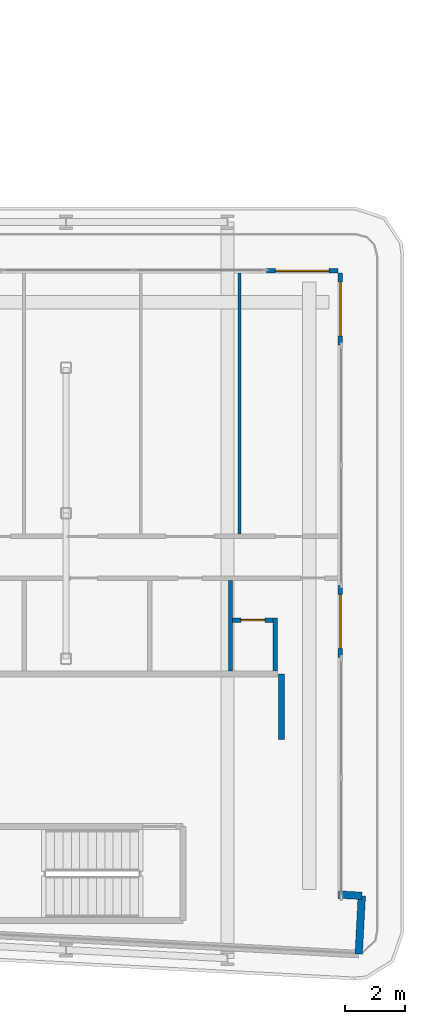
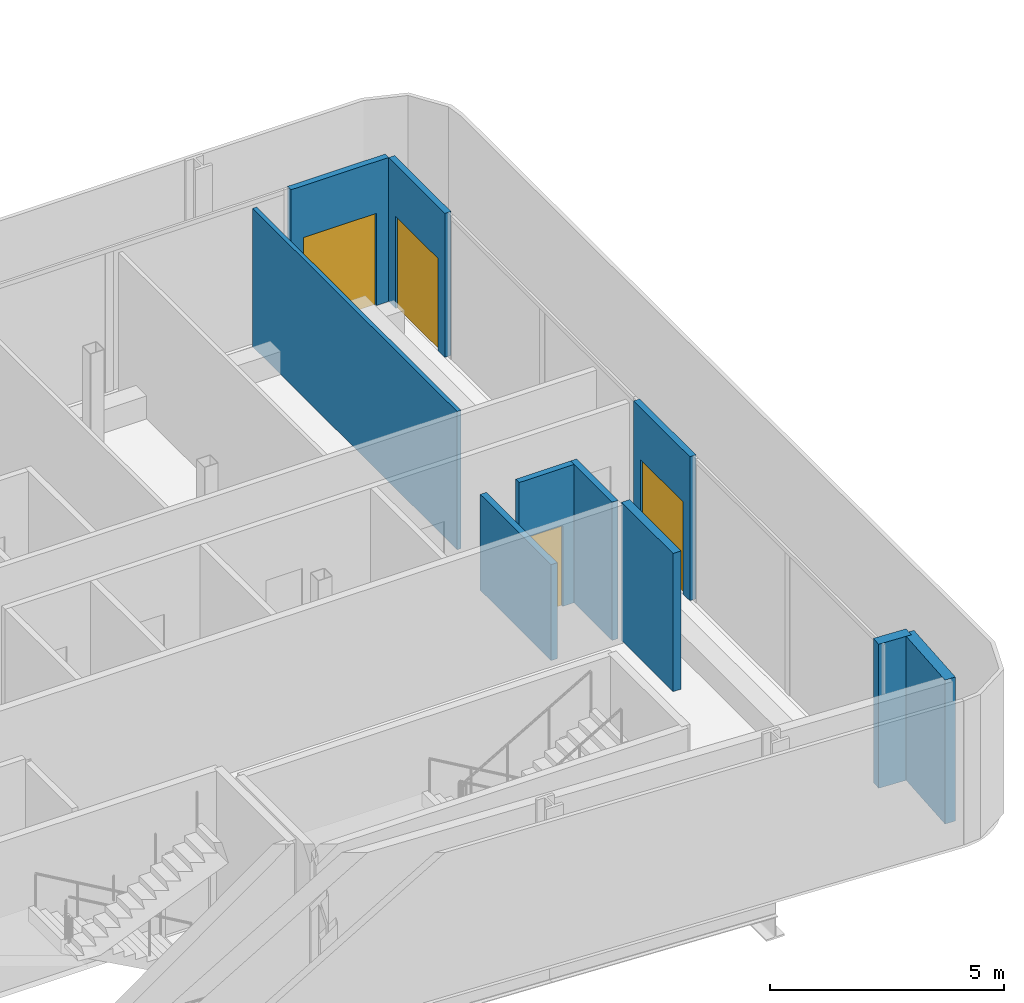
# One storey, part 18 of 27: 10 walls, 4 doors, 4 openings.
"""IFC4 building model written with IfcOpenShell, lengths in metres."""

from ifc_helpers import new_model, si_unit, direction, frame, frame_2d, origin, place, context, subcontext, project, spatial, rectangle, extrude, source, transform, mapped, material, layer, layer_set, type_object, element, fill, save


model = new_model("IFC4")

# Units and contexts
model_context = context("Model", 3, precision=1e-05, world=origin(), true_north=direction((0.0, 1.0)))
body_context = subcontext(model_context, "Body", "Model", "MODEL_VIEW")
ifc_project = project(units=[si_unit("LENGTHUNIT", "METRE"), si_unit("AREAUNIT", "SQUARE_METRE"), si_unit("VOLUMEUNIT", "CUBIC_METRE"), si_unit("PLANEANGLEUNIT", "RADIAN"), si_unit("MASSUNIT", "GRAM", prefix="KILO")], contexts=[model_context])

# Site, building, storey
site_placement = place(None, origin())
site = spatial("IfcSite", under=ifc_project, at=site_placement, CompositionType="ELEMENT")
building_placement = place(site_placement, origin())
building = spatial("IfcBuilding", under=site, at=building_placement, Name="Kheshtan School and Residences Tower", CompositionType="ELEMENT")
storey_placement = place(building_placement, frame((0.0, 0.0, 46.10009765625)))
storey = spatial("IfcBuildingStorey", under=building, at=storey_placement, Name="L10", CompositionType="ELEMENT", Elevation=46.10009765625)

# Walls
ifc_material_1 = material(Name="Gypsum board on steel studs with fire boards", Category="steel")
ifc_layer_1 = layer(ifc_material_1, 0.199951171875)
ifc_layer_set_1 = layer_set([ifc_layer_1], Name="Corridor wall 200")
wall_type_1 = type_object("IfcWallType", Name="Corridor wall 200", PredefinedType="PARTITIONING", material=ifc_layer_set_1)
wall_1_placement = place(storey_placement, frame((92.60009765625, 28.300048828125, 0.0), z_axis=(0.0, 0.0, 1.0), x_axis=(0.0, 1.0, 0.0)))
element("IfcWall", 1, at=wall_1_placement, inside=storey, type_object=wall_type_1, Name="Partition L10-079", PredefinedType="PARTITIONING", context=body_context, shape_type="SweptSolid", body=[
    extrude(rectangle(XDim=2.199951171875, YDim=0.199951171875, at=frame_2d((1.10009765625, 0.0))), origin(), (0.0, 0.0, 1.0), 3.599853515625),
])
ifc_material_2 = material(Name="Concrete C40/50 with ceramic cladding and mineral wool insulation", Category="concrete")
ifc_layer_2 = layer(ifc_material_2, 0.25)
ifc_layer_set_2 = layer_set([ifc_layer_2], Name="External wall 250 ceramic clad")
wall_type_2 = type_object("IfcWallType", Name="External wall 250 ceramic clad", PredefinedType="SOLIDWALL", material=ifc_layer_set_2)
wall_2_placement = place(storey_placement, frame((94.507080078125, 23.123046875, 0.0), z_axis=(0.0, 0.0, 1.0), x_axis=(0.998561284263, -0.053622398031, 0.0)))
element("IfcWall", 2, at=wall_2_placement, inside=storey, type_object=wall_type_2, Name="External wall L10 14", PredefinedType="SOLIDWALL", context=body_context, shape_type="SweptSolid", body=[
    extrude(rectangle(XDim=0.783203125, YDim=0.25, at=frame_2d((0.3916015625, 0.0))), origin(), (0.0, 0.0, 1.0), 3.75),
])
wall_3_placement = place(storey_placement, frame((95.2890625, 23.0810546875, 0.0), z_axis=(0.0, 0.0, 1.0), x_axis=(-0.052841433274, -0.998602915542, 0.0)))
element("IfcWall", 3, at=wall_3_placement, inside=storey, type_object=wall_type_2, Name="External wall L10 15", PredefinedType="SOLIDWALL", context=body_context, shape_type="SweptSolid", body=[
    extrude(rectangle(XDim=1.94970703125, YDim=0.25, at=frame_2d((0.974853515625, 0.0))), origin(), (0.0, 0.0, 1.0), 3.75),
])

# Wall, opening, door
ifc_material_3 = material(Name="Aluminium frame wall with insulated infill", Category="aluminium")
ifc_layer_3 = layer(ifc_material_3, 0.14990234375)
ifc_layer_set_3 = layer_set([ifc_layer_3], Name="Glazing frame wall 150")
wall_type_3 = type_object("IfcWallType", Name="Glazing frame wall 150", PredefinedType="SOLIDWALL", material=ifc_layer_set_3)
wall_4_placement = place(storey_placement, frame((92.10009765625, 43.97509765625, 0.0), z_axis=(0.0, 0.0, 1.0), x_axis=(1.0, 0.0, 0.0)))
wall_4 = element("IfcWall", 4, at=wall_4_placement, inside=storey, type_object=wall_type_3, Name="Balcony door wall L10 12.4", PredefinedType="SOLIDWALL", context=body_context, shape_type="SweptSolid", body=[
    extrude(rectangle(XDim=2.39990234375, YDim=0.14990234375, at=frame_2d((1.199951171875, 0.0))), origin(), (0.0, 0.0, 1.0), 3.75),
])
opening_1_placement = place(wall_4_placement, frame((0.300048828125, 0.0, 0.0)))
opening_1 = element("IfcOpeningElement", 5, at=opening_1_placement, cuts=wall_4, Name="Opening BD", PredefinedType="OPENING", context=body_context, shape_type="SweptSolid", body=[
    extrude(rectangle(XDim=1.800048828125, YDim=2.39990234375, at=frame_2d((0.89990234375, 1.199951171875))), frame((0.0, 0.0849609375, 0.0), z_axis=(0.0, -1.0, 0.0), x_axis=(1.0, 0.0, 0.0)), (0.0, 0.0, 1.0), 0.169921875),
])
ifc_material_4 = material(Name="Clear low-e glass in thermally broken aluminium frame", Category="aluminium")
door_type_1 = type_object("IfcDoorType", Name="Balcony sliding door", OperationType="SLIDING_TO_LEFT", PredefinedType="DOOR", material=ifc_material_4)
shared_shape_1 = source(origin(), body_context, "Body", "SweptSolid", [
    extrude(rectangle(XDim=1.800048828125, YDim=2.39990234375, at=frame_2d((0.89990234375, 1.199951171875))), frame((0.0, 0.02490234375, 0.0), z_axis=(0.0, -1.0, 0.0), x_axis=(1.0, 0.0, 0.0)), (0.0, 0.0, 1.0), 0.050048828125),
])
door_1_placement = place(opening_1_placement, origin())
door_1 = element("IfcDoor", 6, at=door_1_placement, inside=storey, type_object=door_type_1, Name="Balcony door L10 12.4", OperationType="SLIDING_TO_LEFT", OverallHeight=2.39990234375, OverallWidth=1.800048828125, PredefinedType="DOOR", context=body_context, shape_type="MappedRepresentation", body=[
    mapped(shared_shape_1, transform((0.0, 0.0, 0.0), x_axis=(1.0, 0.0, 0.0), y_axis=(0.0, 1.0, 0.0), z_axis=(0.0, 0.0, 1.0), scale=1.0)),
])
fill(opening_1, door_1)

wall_5_placement = place(storey_placement, frame((94.574951171875, 43.89990234375, 0.0), z_axis=(0.0, 0.0, 1.0), x_axis=(0.0, -1.0, 0.0)))
wall_5 = element("IfcWall", 7, at=wall_5_placement, inside=storey, type_object=wall_type_3, Name="Balcony door wall L10 13.1", PredefinedType="SOLIDWALL", context=body_context, shape_type="SweptSolid", body=[
    extrude(rectangle(XDim=2.39990234375, YDim=0.14990234375, at=frame_2d((1.199951171875, 0.0))), origin(), (0.0, 0.0, 1.0), 3.75),
])
opening_2_placement = place(wall_5_placement, frame((0.300048828125, 0.0, 0.0)))
opening_2 = element("IfcOpeningElement", 8, at=opening_2_placement, cuts=wall_5, Name="Opening BD", PredefinedType="OPENING", context=body_context, shape_type="SweptSolid", body=[
    extrude(rectangle(XDim=1.800048828125, YDim=2.39990234375, at=frame_2d((0.89990234375, 1.199951171875))), frame((0.0, 0.0849609375, 0.0), z_axis=(0.0, -1.0, 0.0), x_axis=(1.0, 0.0, 0.0)), (0.0, 0.0, 1.0), 0.169921875),
])
door_2_placement = place(opening_2_placement, origin())
door_2 = element("IfcDoor", 9, at=door_2_placement, inside=storey, type_object=door_type_1, Name="Balcony door L10 13.1", OperationType="SLIDING_TO_LEFT", OverallHeight=2.39990234375, OverallWidth=1.800048828125, PredefinedType="DOOR", context=body_context, shape_type="MappedRepresentation", body=[
    mapped(shared_shape_1, transform((0.0, 0.0, 0.0), x_axis=(1.0, 0.0, 0.0), y_axis=(0.0, 1.0, 0.0), z_axis=(0.0, 0.0, 1.0), scale=1.0)),
])
fill(opening_2, door_2)

wall_6_placement = place(storey_placement, frame((94.574951171875, 33.448974609375, 0.0), z_axis=(0.0, 0.0, 1.0), x_axis=(0.0, -1.0, 0.0)))
wall_6 = element("IfcWall", 10, at=wall_6_placement, inside=storey, type_object=wall_type_3, Name="Balcony door wall L10 13.2", PredefinedType="SOLIDWALL", context=body_context, shape_type="SweptSolid", body=[
    extrude(rectangle(XDim=2.39990234375, YDim=0.14990234375, at=frame_2d((1.199951171875, 0.0))), origin(), (0.0, 0.0, 1.0), 3.75),
])
opening_3_placement = place(wall_6_placement, frame((0.300048828125, 0.0, 0.0)))
opening_3 = element("IfcOpeningElement", 11, at=opening_3_placement, cuts=wall_6, Name="Opening BD", PredefinedType="OPENING", context=body_context, shape_type="SweptSolid", body=[
    extrude(rectangle(XDim=1.800048828125, YDim=2.39990234375, at=frame_2d((0.89990234375, 1.199951171875))), frame((0.0, 0.0849609375, 0.0), z_axis=(0.0, -1.0, 0.0), x_axis=(1.0, 0.0, 0.0)), (0.0, 0.0, 1.0), 0.169921875),
])
door_3_placement = place(opening_3_placement, origin())
door_3 = element("IfcDoor", 12, at=door_3_placement, inside=storey, type_object=door_type_1, Name="Balcony door L10 13.2", OperationType="SLIDING_TO_LEFT", OverallHeight=2.39990234375, OverallWidth=1.800048828125, PredefinedType="DOOR", context=body_context, shape_type="MappedRepresentation", body=[
    mapped(shared_shape_1, transform((0.0, 0.0, 0.0), x_axis=(1.0, 0.0, 0.0), y_axis=(0.0, 1.0, 0.0), z_axis=(0.0, 0.0, 1.0), scale=1.0)),
])
fill(opening_3, door_3)

# Walls
ifc_material_5 = material(Name="Gypsum board on steel studs", Category="steel")
ifc_layer_4 = layer(ifc_material_5, 0.10009765625)
ifc_layer_set_4 = layer_set([ifc_layer_4], Name="Gypsum partition 100")
wall_type_4 = type_object("IfcWallType", Name="Gypsum partition 100", PredefinedType="PARTITIONING", material=ifc_layer_set_4)
wall_7_placement = place(storey_placement, frame((91.199951171875, 35.175048828125, 0.0), z_axis=(0.0, 0.0, 1.0), x_axis=(0.0, 1.0, 0.0)))
element("IfcWall", 13, at=wall_7_placement, inside=storey, type_object=wall_type_4, Name="Partition L10-077", PredefinedType="PARTITIONING", context=body_context, shape_type="SweptSolid", body=[
    extrude(rectangle(XDim=8.724853515625, YDim=0.10009765625, at=frame_2d((4.3623046875, 0.0))), origin(), (0.0, 0.0, 1.0), 3.599853515625),
])
ifc_material_6 = material(Name="Moisture-resistant gypsum board on steel studs", Category="steel")
ifc_layer_5 = layer(ifc_material_6, 0.14990234375)
ifc_layer_set_5 = layer_set([ifc_layer_5], Name="Wet-room partition 150")
wall_type_5 = type_object("IfcWallType", Name="Wet-room partition 150", PredefinedType="PARTITIONING", material=ifc_layer_set_5)
wall_8_placement = place(storey_placement, frame((90.89990234375, 30.60009765625, 0.0), z_axis=(0.0, 0.0, 1.0), x_axis=(0.0, 1.0, 0.0)))
element("IfcWall", 14, at=wall_8_placement, inside=storey, type_object=wall_type_5, Name="Partition L10-075", PredefinedType="PARTITIONING", context=body_context, shape_type="SweptSolid", body=[
    extrude(rectangle(XDim=3.02490234375, YDim=0.14990234375, at=frame_2d((1.512451171875, 0.0))), origin(), (0.0, 0.0, 1.0), 2.5),
])

# Wall, opening, door
wall_9_placement = place(storey_placement, frame((90.97509765625, 32.300048828125, 0.0), z_axis=(0.0, 0.0, 1.0), x_axis=(1.0, 0.0, 0.0)))
wall_9 = element("IfcWall", 15, at=wall_9_placement, inside=storey, type_object=wall_type_5, Name="Partition L10-076", PredefinedType="PARTITIONING", context=body_context, shape_type="SweptSolid", body=[
    extrude(rectangle(XDim=1.349853515625, YDim=0.14990234375, at=frame_2d((0.6748046875, 0.0))), origin(), (0.0, 0.0, 1.0), 3.599853515625),
])
opening_4_placement = place(wall_9_placement, frame((0.27490234375, 0.0, 0.0)))
opening_4 = element("IfcOpeningElement", 16, at=opening_4_placement, cuts=wall_9, Name="Opening D10-022", PredefinedType="OPENING", context=body_context, shape_type="SweptSolid", body=[
    extrude(rectangle(XDim=0.800048828125, YDim=2.10009765625, at=frame_2d((0.39990234375, 1.050048828125))), frame((0.0, 0.0849609375, 0.0), z_axis=(0.0, -1.0, 0.0), x_axis=(1.0, 0.0, 0.0)), (0.0, 0.0, 1.0), 0.169921875),
])
ifc_material_7 = material(Name="Veneered timber door leaf", Category="wood")
door_type_2 = type_object("IfcDoorType", Name="Door 800 x 2100", OperationType="SINGLE_SWING_LEFT", PredefinedType="DOOR", material=ifc_material_7)
shared_shape_2 = source(origin(), body_context, "Body", "SweptSolid", [
    extrude(rectangle(XDim=0.800048828125, YDim=2.10009765625, at=frame_2d((0.39990234375, 1.050048828125))), frame((0.0, 0.02490234375, 0.0), z_axis=(0.0, -1.0, 0.0), x_axis=(1.0, 0.0, 0.0)), (0.0, 0.0, 1.0), 0.050048828125),
])
door_4_placement = place(opening_4_placement, origin())
door_4 = element("IfcDoor", 17, at=door_4_placement, inside=storey, type_object=door_type_2, Name="Door D10-022", OperationType="SINGLE_SWING_RIGHT", OverallHeight=2.10009765625, OverallWidth=0.800048828125, PredefinedType="DOOR", context=body_context, shape_type="MappedRepresentation", body=[
    mapped(shared_shape_2, transform((0.0, 0.0, 0.0), x_axis=(1.0, 0.0, 0.0), y_axis=(0.0, 1.0, 0.0), z_axis=(0.0, 0.0, 1.0), scale=1.0)),
])
fill(opening_4, door_4)

# Wall
wall_10_placement = place(storey_placement, frame((92.39990234375, 30.60009765625, 0.0), z_axis=(0.0, 0.0, 1.0), x_axis=(0.0, 1.0, 0.0)))
element("IfcWall", 18, at=wall_10_placement, inside=storey, type_object=wall_type_5, Name="Partition L10-078", PredefinedType="PARTITIONING", context=body_context, shape_type="SweptSolid", body=[
    extrude(rectangle(XDim=1.77490234375, YDim=0.14990234375, at=frame_2d((0.887451171875, 0.0))), origin(), (0.0, 0.0, 1.0), 3.599853515625),
])

save(model, "model.ifc")
